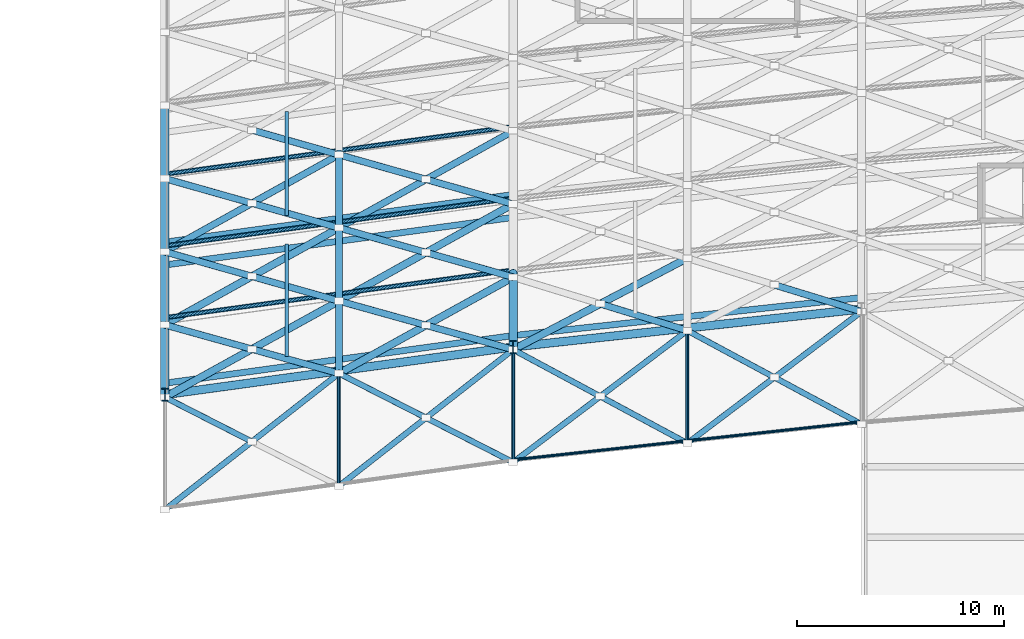
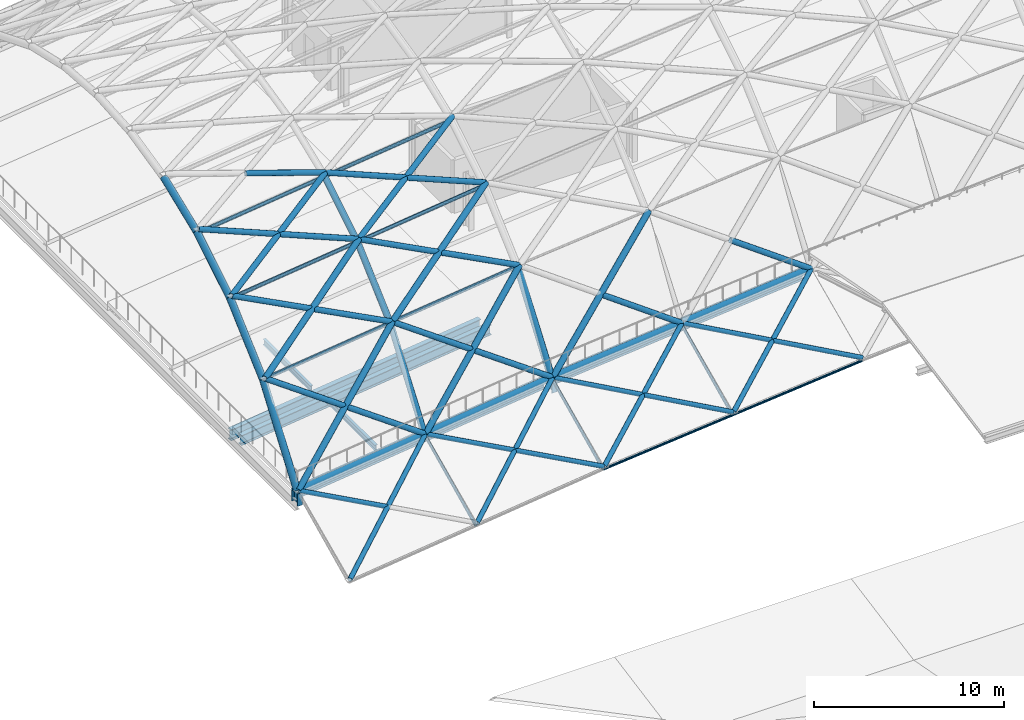
# One storey, part 11 of 100: 58 members, 6 beams.
"""IFC4 building model written with IfcOpenShell, lengths in metres."""

import ifcopenshell
import ifcopenshell.guid

model = None  # the IFC model being written
_history = None  # IfcOwnerHistory: only IFC2X3 demands one
_inside = {}  # id of a spatial element -> (the spatial element, [elements in it])
_under = {}  # id of a project, library or spatial element -> (it, [spatial elements below it])
_declared = {}  # id of a project -> (the project, [libraries it declares])
_typed = {}  # id of a type object -> (the type object, [elements of that type])
_made_of = {}  # id of a material, layer set ... -> (it, [elements and type objects made of it])


def new_model(schema):
    """Start an empty IFC model of exactly this schema.

    Asked for "IFC4X3", IfcOpenShell would pick the latest addendum, in which some entities
    have other attributes; the version numbers below select the first issue.
    IFC2X3 requires an IfcOwnerHistory on every rooted entity: one is made here for all.
    """
    global model, _history
    if schema == "IFC4X3":
        model = ifcopenshell.file(schema_version=(4, 3, 0, 0))
    else:
        model = ifcopenshell.file(schema=schema)
    _inside.clear()
    _under.clear()
    _declared.clear()
    _typed.clear()
    _made_of.clear()
    _history = None
    if model.schema == "IFC2X3":
        org = make("IfcOrganization", Name="unknown")
        user = make(
            "IfcPersonAndOrganization",
            ThePerson=make("IfcPerson", FamilyName="unknown"),
            TheOrganization=org,
        )
        app = make(
            "IfcApplication",
            ApplicationDeveloper=org,
            Version="unknown",
            ApplicationFullName="unknown",
            ApplicationIdentifier="unknown",
        )
        _history = make(
            "IfcOwnerHistory",
            OwningUser=user,
            OwningApplication=app,
            ChangeAction="ADDED",
            CreationDate=0,
        )
    return model


def make(cls, **values):
    """One entity of the class cls with the attributes given. An attribute that is None is left unset."""
    return model.create_entity(
        cls, **{name: value for name, value in values.items() if value is not None}
    )


def rooted(cls, **values):
    """An entity with a GlobalId (a new one), such as an element, a storey or a relation."""
    return make(cls, GlobalId=ifcopenshell.guid.new(), OwnerHistory=_history, **values)


def si_unit(unit_type, name, prefix=None):
    """IfcSIUnit, for example si_unit("LENGTHUNIT", "METRE", prefix="MILLI")."""
    return make("IfcSIUnit", UnitType=unit_type, Prefix=prefix, Name=name)


def assignment(units):
    """IfcUnitAssignment: the units of a project."""
    return None if units is None else make("IfcUnitAssignment", Units=units)


def point(xyz):
    """IfcCartesianPoint."""
    return None if xyz is None else make("IfcCartesianPoint", Coordinates=xyz)


def direction(xyz):
    """IfcDirection."""
    return None if xyz is None else make("IfcDirection", DirectionRatios=xyz)


def frame(location, z_axis=None, x_axis=None):
    """IfcAxis2Placement3D, a coordinate frame: its origin and axes. An axis left out is left unset."""
    return make(
        "IfcAxis2Placement3D",
        Location=point(location),
        Axis=direction(z_axis),
        RefDirection=direction(x_axis),
    )


def frame_2d(location, x_axis=None):
    """IfcAxis2Placement2D, a coordinate frame in the plane: its origin and x axis."""
    return make(
        "IfcAxis2Placement2D", Location=point(location), RefDirection=direction(x_axis)
    )


def origin():
    """The frame at (0, 0, 0) with its axes left unset."""
    return frame((0.0, 0.0, 0.0))


def origin_2d():
    """The frame at (0, 0) in the plane with its x axis left unset."""
    return frame_2d((0.0, 0.0))


def place(relative_to, where):
    """IfcLocalPlacement: puts the frame where relative to a parent placement (None: the world)."""
    return make(
        "IfcLocalPlacement", PlacementRelTo=relative_to, RelativePlacement=where
    )


def context(
    kind, dimensions, precision=None, world=None, true_north=None, identifier=None
):
    """IfcGeometricRepresentationContext, for example the 3D "Model" context."""
    return make(
        "IfcGeometricRepresentationContext",
        ContextIdentifier=identifier,
        ContextType=kind,
        CoordinateSpaceDimension=dimensions,
        Precision=precision,
        WorldCoordinateSystem=world,
        TrueNorth=true_north,
    )


def subcontext(parent, identifier, kind, view, scale=None):
    """IfcGeometricRepresentationSubContext, for example "Body" below "Model"."""
    return make(
        "IfcGeometricRepresentationSubContext",
        ContextIdentifier=identifier,
        ContextType=kind,
        ParentContext=parent,
        TargetScale=scale,
        TargetView=view,
    )


def project(units=None, contexts=None):
    """IfcProject with its units and contexts."""
    return rooted(
        "IfcProject",
        Name="project",
        RepresentationContexts=contexts,
        UnitsInContext=assignment(units),
    )


def spatial(cls, under=None, at=None, **own):
    """A site, building, storey or space (cls), placed at a placement, below another one or the project."""
    s = rooted(cls, ObjectPlacement=at, **own)
    if under is not None:
        _under.setdefault(under.id(), (under, []))[1].append(s)
    return s


def profile(cls, at=None, kind="AREA", **sizes):
    """A parametric profile (cls). Its sizes go by their IFC names, for example OverallWidth=200.0."""
    return make(cls, ProfileType=kind, Position=at, **sizes)


def hollow_circle(**sizes):
    """IfcCircleHollowProfileDef."""
    return profile("IfcCircleHollowProfileDef", **sizes)


def i_section(**sizes):
    """IfcIShapeProfileDef."""
    return profile("IfcIShapeProfileDef", **sizes)


def extrude(swept, where, along, depth):
    """IfcExtrudedAreaSolid: the profile swept, set in the frame where, extruded along a direction by depth."""
    return make(
        "IfcExtrudedAreaSolid",
        SweptArea=swept,
        Position=where,
        ExtrudedDirection=direction(along),
        Depth=depth,
    )


def shape(context_of_items, identifier, shape_type, items):
    """IfcShapeRepresentation: the items that make up one representation, for example the "Body"."""
    return make(
        "IfcShapeRepresentation",
        ContextOfItems=context_of_items,
        RepresentationIdentifier=identifier,
        RepresentationType=shape_type,
        Items=items,
    )


def material(Name=None, Category=None):
    """IfcMaterial."""
    return make("IfcMaterial", Name=Name, Category=Category)


def material_profile(
    of_material, cross_section, Name=None, Category=None, Priority=None
):
    """IfcMaterialProfile: a cross section and its material."""
    return make(
        "IfcMaterialProfile",
        Name=Name,
        Material=of_material,
        Profile=cross_section,
        Priority=Priority,
        Category=Category,
    )


def profile_set(profiles, Name=None, composite=None):
    """IfcMaterialProfileSet."""
    return make(
        "IfcMaterialProfileSet",
        Name=Name,
        MaterialProfiles=profiles,
        CompositeProfile=composite,
    )


def made_of(thing, what):
    """Note that an element or type object is made of a material, layer set ...; save() writes the relation."""
    if what is not None:
        _made_of.setdefault(what.id(), (what, []))[1].append(thing)
    return thing


def type_object(cls, material=None, **own):
    """A type object (cls), such as IfcWallType, which elements share."""
    return made_of(rooted(cls, **own), material)


def element(
    cls,
    number,
    at=None,
    inside=None,
    cuts=None,
    type_object=None,
    material=None,
    context=None,
    identifier="Body",
    shape_type=None,
    held_by="IfcProductDefinitionShape",
    body=None,
    shapes=None,
    **own,
):
    """One element of the class cls, such as IfcWall. Its Tag is "e" and its number.

    at: its placement. inside: the storey or other place that contains it. cuts: it is an
    opening in that element (IfcRelVoidsElement). A single representation is given by context,
    identifier, shape_type and body (its items); several are given by shapes. held_by: the class
    of the entity that holds the representations. save() writes the other relations.
    """
    e = rooted(cls, Tag="e%d" % number, ObjectPlacement=at, **own)
    if body is not None:
        shapes = [shape(context, identifier, shape_type, body)]
    if shapes is not None:
        e.Representation = make(held_by, Representations=shapes)
    if inside is not None:
        _inside.setdefault(inside.id(), (inside, []))[1].append(e)
    if cuts is not None:
        rooted(
            "IfcRelVoidsElement", RelatingBuildingElement=cuts, RelatedOpeningElement=e
        )
    if type_object is not None:
        _typed.setdefault(type_object.id(), (type_object, []))[1].append(e)
    return made_of(e, material)


def aggregate(whole, parts):
    """IfcRelAggregates: a whole, such as a stair, and the parts it consists of."""
    return rooted("IfcRelAggregates", RelatingObject=whole, RelatedObjects=parts)


def save(model, path):
    """Write the relations noted so far, then the file.

    IfcRelAggregates (storeys below a building ...), IfcRelContainedInSpatialStructure (elements
    in a storey), IfcRelDefinesByType, IfcRelAssociatesMaterial and IfcRelDeclares: one each for
    every whole, place, type object, material and project.
    """
    for whole, parts in _under.values():
        aggregate(whole, parts)
    for where, things in _inside.values():
        rooted(
            "IfcRelContainedInSpatialStructure",
            RelatedElements=things,
            RelatingStructure=where,
        )
    for kind, things in _typed.values():
        rooted("IfcRelDefinesByType", RelatedObjects=things, RelatingType=kind)
    for what, things in _made_of.values():
        rooted("IfcRelAssociatesMaterial", RelatedObjects=things, RelatingMaterial=what)
    for by, libraries in _declared.values():
        rooted("IfcRelDeclares", RelatingContext=by, RelatedDefinitions=libraries)
    model.write(path)


model = new_model("IFC4")

# Units and contexts
model_context = context("Model", 3, precision=1e-05, world=origin(), true_north=direction((0.0, 1.0)))
body_context = subcontext(model_context, "Body", "Model", "MODEL_VIEW")
ifc_project = project(units=[si_unit("LENGTHUNIT", "METRE"), si_unit("AREAUNIT", "SQUARE_METRE"), si_unit("VOLUMEUNIT", "CUBIC_METRE"), si_unit("PLANEANGLEUNIT", "RADIAN"), si_unit("MASSUNIT", "GRAM", prefix="KILO")], contexts=[model_context])

# Site, building, storey
site_placement = place(None, origin())
site = spatial("IfcSite", under=ifc_project, at=site_placement, CompositionType="ELEMENT")
building_placement = place(site_placement, origin())
building = spatial("IfcBuilding", under=site, at=building_placement, Name="Kimbaza Rail Terminus", CompositionType="ELEMENT")
storey_placement = place(building_placement, frame((0.0, 0.0, 10.800048828125)))
storey = spatial("IfcBuildingStorey", under=building, at=storey_placement, Name="L02", CompositionType="ELEMENT", Elevation=10.800048828125)

# Beams
ifc_material_1 = material(Name="Steel S355", Category="steel")
ifc_material_profile_1 = material_profile(ifc_material_1, i_section(OverallWidth=0.300048828125, OverallDepth=0.64990234375, WebThickness=0.01611328125, FlangeThickness=0.031005859375, FilletRadius=0.027099609375, at=origin_2d()), Name="HEB 650")
ifc_profile_set_1 = profile_set([ifc_material_profile_1], Name="Steel S355")
beam_type_1 = type_object("IfcBeamType", Name="STR-BM-HEB650", PredefinedType="USERDEFINED", material=ifc_profile_set_1)
for number, where, z_axis, x_axis, name in (
    (1, (21.74365234375, 48.445556640625, -0.5849609375), (0.990777321611, 0.135500180745, 0.0), (-0.135500180745, 0.990777321611, 0.0), "Viaduct Chorded Girder P1 Bay 01"),
    (2, (21.74365234375, 54.145751953125, -0.5849609375), (0.990777321611, 0.135500180745, 0.0), (-0.135500180745, 0.990777321611, 0.0), "Viaduct Chorded Girder P1 Bay 01"),
):
    element("IfcBeam", number, at=place(storey_placement, frame(where, z_axis=z_axis, x_axis=x_axis)), inside=storey, type_object=beam_type_1, Name=name, ObjectType="GIRDER", PredefinedType="USERDEFINED", context=body_context, shape_type="SweptSolid", body=[
        extrude(i_section(OverallWidth=0.300048828125, OverallDepth=0.64990234375, WebThickness=0.01611328125, FlangeThickness=0.031005859375, FilletRadius=0.027099609375, at=origin_2d()), origin(), (0.0, 0.0, 1.0), 16.66650390625),
    ])
beam_1_placement = place(storey_placement, frame((38.544189453125, 50.7392578125, -0.5849609375), z_axis=(0.994106987183, 0.108403404165, 0.0), x_axis=(-0.108403404165, 0.994106987183, 0.0)))
element("IfcBeam", 3, at=beam_1_placement, inside=storey, type_object=beam_type_1, Name="Viaduct Chorded Girder P1 Bay 02", ObjectType="GIRDER", PredefinedType="USERDEFINED", context=body_context, shape_type="SweptSolid", body=[
    extrude(i_section(OverallWidth=0.300048828125, OverallDepth=0.64990234375, WebThickness=0.01611328125, FlangeThickness=0.031005859375, FilletRadius=0.027099609375, at=origin_2d()), origin(), (0.0, 0.0, 1.0), 16.609619140625),
])
ifc_material_2 = material(Name="Steel S355", Category="steel")
ifc_material_profile_2 = material_profile(ifc_material_2, i_section(OverallWidth=0.300048828125, OverallDepth=0.699951171875, WebThickness=0.01708984375, FlangeThickness=0.031982421875, FilletRadius=0.027099609375, at=origin_2d()), Name="HEB 700")
ifc_profile_set_2 = profile_set([ifc_material_profile_2], Name="Steel S355")
beam_type_2 = type_object("IfcBeamType", Name="STR-BM-HEB700", PredefinedType="USERDEFINED", material=ifc_profile_set_2)
beam_2_placement = place(storey_placement, frame((21.74365234375, 55.24560546875, -0.920166015625), z_axis=(0.990777321611, 0.135500180745, 0.0), x_axis=(-0.135500180745, 0.990777321611, 0.0)))
element("IfcBeam", 4, at=beam_2_placement, inside=storey, type_object=beam_type_2, Name="Viaduct Chorded Girder TR12 Bay 01", ObjectType="GIRDER", PredefinedType="USERDEFINED", context=body_context, shape_type="SweptSolid", body=[
    extrude(i_section(OverallWidth=0.300048828125, OverallDepth=0.699951171875, WebThickness=0.01708984375, FlangeThickness=0.031982421875, FilletRadius=0.027099609375, at=origin_2d()), origin(), (0.0, 0.0, 1.0), 16.66650390625),
])
ifc_material_3 = material(Name="Steel S355", Category="steel")
ifc_material_profile_3 = material_profile(ifc_material_3, i_section(OverallWidth=0.169921875, OverallDepth=0.360107421875, WebThickness=0.008056640625, FlangeThickness=0.0126953125, FilletRadius=0.01806640625, at=origin_2d()), Name="IPE 360")
ifc_profile_set_3 = profile_set([ifc_material_profile_3], Name="Steel S355")
beam_type_3 = type_object("IfcBeamType", Name="STR-BM-IPE360", PredefinedType="JOIST", material=ifc_profile_set_3)
beam_3_placement = place(storey_placement, frame((27.47998046875, 49.7197265625, -0.43994140625), z_axis=(0.0, 1.0, 0.0), x_axis=(-1.0, 0.0, 0.0)))
element("IfcBeam", 5, at=beam_3_placement, inside=storey, type_object=beam_type_3, Name="Viaduct Diaphragm P1 Bay 01", PredefinedType="JOIST", context=body_context, shape_type="SweptSolid", body=[
    extrude(i_section(OverallWidth=0.169921875, OverallDepth=0.360107421875, WebThickness=0.008056640625, FlangeThickness=0.0126953125, FilletRadius=0.01806640625, at=origin_2d()), origin(), (0.0, 0.0, 1.0), 5.41015625),
])
beam_4_placement = place(storey_placement, frame((27.47998046875, 56.519775390625, -0.75), z_axis=(0.0, 1.0, 0.0), x_axis=(-1.0, 0.0, 0.0)))
element("IfcBeam", 6, at=beam_4_placement, inside=storey, type_object=beam_type_3, Name="Viaduct Diaphragm TR12 Bay 01", PredefinedType="JOIST", context=body_context, shape_type="SweptSolid", body=[
    extrude(i_section(OverallWidth=0.169921875, OverallDepth=0.360107421875, WebThickness=0.008056640625, FlangeThickness=0.0126953125, FilletRadius=0.01806640625, at=origin_2d()), origin(), (0.0, 0.0, 1.0), 5.010009765625),
])

# Members
ifc_material_4 = material(Name="White painted steel S355", Category="steel")
ifc_material_profile_4 = material_profile(ifc_material_4, hollow_circle(Radius=0.06982421875, WallThickness=0.00634765625, at=origin_2d()), Name="CHS 139.7x6.3")
ifc_profile_set_4 = profile_set([ifc_material_profile_4], Name="White painted steel S355")
member_type_1 = type_object("IfcMemberType", Name="STR-MB-CHS139", PredefinedType="COLLAR", material=ifc_profile_set_4)
member_1_placement = place(storey_placement, frame((38.39990234375, 44.7314453125, -2.62744140625), z_axis=(0.994106819652, 0.108404940487, 0.0), x_axis=(-0.108404940487, 0.994106819652, 0.0)))
element("IfcMember", 7, at=member_1_placement, inside=storey, type_object=member_type_1, Name="Vault lattice longitudinal purlin VR-02-VA00", PredefinedType="COLLAR", context=body_context, shape_type="SweptSolid", body=[
    extrude(hollow_circle(Radius=0.06982421875, WallThickness=0.00634765625, at=origin_2d()), origin(), (0.0, 0.0, 1.0), 8.449951171875),
])
member_2_placement = place(storey_placement, frame((46.800048828125, 45.6474609375, -2.62744140625), z_axis=(0.99410959352, 0.108379500241, 0.0), x_axis=(-0.108379500241, 0.99410959352, 0.0)))
element("IfcMember", 8, at=member_2_placement, inside=storey, type_object=member_type_1, Name="Vault lattice longitudinal purlin VR-03-VA00", PredefinedType="COLLAR", context=body_context, shape_type="SweptSolid", body=[
    extrude(hollow_circle(Radius=0.06982421875, WallThickness=0.00634765625, at=origin_2d()), origin(), (0.0, 0.0, 1.0), 8.44970703125),
])
ifc_material_5 = material(Name="White painted steel S355", Category="steel")
ifc_material_profile_5 = material_profile(ifc_material_5, hollow_circle(Radius=0.084228515625, WallThickness=0.00634765625, at=origin_2d()), Name="CHS 168.3x6.3")
ifc_profile_set_5 = profile_set([ifc_material_profile_5], Name="White painted steel S355")
member_type_2 = type_object("IfcMemberType", Name="STR-MB-CHS168", PredefinedType="RAFTER", material=ifc_profile_set_5)
for number, where, z_axis, x_axis, name in (
    (9, (30.0, 43.574462890625, -2.609375), (0.0, 0.901963905621, 0.431811432174), (-1.0, 0.0, 0.0), "Vault lattice arch chord VR-01 seg 1"),
    (10, (38.39990234375, 44.72314453125, -2.609375), (0.0, 0.901963905621, 0.431811432174), (-1.0, 0.0, 0.0), "Vault lattice arch chord VR-02 seg 1"),
    (11, (46.800048828125, 45.63916015625, -2.609375), (0.0, 0.901963905621, 0.431811432174), (-1.0, 0.0, 0.0), "Vault lattice arch chord VR-03 seg 1"),
):
    element("IfcMember", number, at=place(storey_placement, frame(where, z_axis=z_axis, x_axis=x_axis)), inside=storey, type_object=member_type_2, Name=name, PredefinedType="RAFTER", context=body_context, shape_type="SweptSolid", body=[
        extrude(hollow_circle(Radius=0.084228515625, WallThickness=0.00634765625, at=origin_2d()), origin(), (0.0, 0.0, 1.0), 6.04296875),
    ])
ifc_material_6 = material(Name="White painted steel S355", Category="steel")
ifc_material_profile_6 = material_profile(ifc_material_6, hollow_circle(Radius=0.109619140625, WallThickness=0.008056640625, at=origin_2d()), Name="CHS 219.1x8")
ifc_profile_set_6 = profile_set([ifc_material_profile_6], Name="White painted steel S355")
member_type_3 = type_object("IfcMemberType", Name="STR-MB-CHS219", PredefinedType="PURLIN", material=ifc_profile_set_6)
for number, where, z_axis, x_axis, name in (
    (12, (21.60009765625, 51.5908203125, 4.85205078125), (0.990778928837, 0.135488428186, 0.0), (-0.135488428186, 0.990778928837, 0.0), "Vault lattice longitudinal purlin VR-00-VA02"),
    (13, (21.60009765625, 55.0478515625, 7.9716796875), (0.990778928837, 0.135488428186, 0.0), (-0.135488428186, 0.990778928837, 0.0), "Vault lattice longitudinal purlin VR-00-VA03"),
    (14, (21.60009765625, 58.5048828125, 10.078857421875), (0.990775062808, 0.135516696087, 0.0), (-0.135516696087, 0.990775062808, 0.0), "Vault lattice longitudinal purlin VR-00-VA04"),
    (15, (30.0, 52.739501953125, 4.85205078125), (0.990775062808, 0.135516696087, 0.0), (-0.135516696087, 0.990775062808, 0.0), "Vault lattice longitudinal purlin VR-01-VA02"),
    (16, (30.0, 56.196533203125, 7.9716796875), (0.990775062808, 0.135516696087, 0.0), (-0.135516696087, 0.990775062808, 0.0), "Vault lattice longitudinal purlin VR-01-VA03"),
    (17, (30.0, 59.65380859375, 10.078857421875), (0.990778928837, 0.135488428186, 0.0), (-0.135488428186, 0.990778928837, 0.0), "Vault lattice longitudinal purlin VR-01-VA04"),
):
    element("IfcMember", number, at=place(storey_placement, frame(where, z_axis=z_axis, x_axis=x_axis)), inside=storey, type_object=member_type_3, Name=name, PredefinedType="PURLIN", context=body_context, shape_type="SweptSolid", body=[
        extrude(hollow_circle(Radius=0.109619140625, WallThickness=0.008056640625, at=origin_2d()), origin(), (0.0, 0.0, 1.0), 8.47802734375),
    ])
ifc_material_7 = material(Name="White painted steel S355", Category="steel")
ifc_material_profile_7 = material_profile(ifc_material_7, hollow_circle(Radius=0.136474609375, WallThickness=0.010009765625, at=origin_2d()), Name="CHS 273x10")
ifc_profile_set_7 = profile_set([ifc_material_profile_7], Name="White painted steel S355")
member_type_4 = type_object("IfcMemberType", Name="STR-MB-CHS273", PredefinedType="STRUT", material=ifc_profile_set_7)
member_3_placement = place(storey_placement, frame((21.60009765625, 42.318115234375, -2.37255859375), z_axis=(0.767370266264, 0.601321564516, 0.222610086252), x_axis=(-0.616798545338, 0.78712105452, 0.0)))
element("IfcMember", 18, at=member_3_placement, inside=storey, type_object=member_type_4, Name="Vault lattice diagonal A VR-00-VA00", PredefinedType="STRUT", context=body_context, shape_type="SweptSolid", body=[
    extrude(hollow_circle(Radius=0.136474609375, WallThickness=0.010009765625, at=origin_2d()), origin(), (0.0, 0.0, 1.0), 10.9462890625),
])
member_4_placement = place(storey_placement, frame((25.800048828125, 45.609375, -1.154296875), z_axis=(-0.862466770419, 0.439931750882, 0.250222150274), x_axis=(-0.454386489216, -0.890804646608, 0.0)))
element("IfcMember", 19, at=member_4_placement, inside=storey, type_object=member_type_4, Name="Vault lattice diagonal B2 VR-00-VA00", PredefinedType="STRUT", context=body_context, shape_type="SweptSolid", body=[
    extrude(hollow_circle(Radius=0.136474609375, WallThickness=0.010009765625, at=origin_2d()), origin(), (0.0, 0.0, 1.0), 4.86962890625),
])
member_5_placement = place(storey_placement, frame((30.0, 43.467041015625, -2.37255859375), z_axis=(0.767380557872, 0.601307325473, 0.222613071793), x_axis=(-0.616784371104, 0.787132161432, 0.0)))
element("IfcMember", 20, at=member_5_placement, inside=storey, type_object=member_type_4, Name="Vault lattice diagonal A VR-01-VA00", PredefinedType="STRUT", context=body_context, shape_type="SweptSolid", body=[
    extrude(hollow_circle(Radius=0.136474609375, WallThickness=0.010009765625, at=origin_2d()), origin(), (0.0, 0.0, 1.0), 10.9462890625),
])
for number, where, z_axis, x_axis, name in (
    (21, (38.39990234375, 44.61572265625, -2.37255859375), (-0.862477589017, 0.439937269292, 0.250175153705), (-0.454386489216, -0.890804646608, 0.0), "Vault lattice diagonal B1 VR-01-VA00"),
    (22, (34.199951171875, 46.758056640625, -1.154296875), (-0.862466770419, 0.439931750882, 0.250222150274), (-0.454386489216, -0.890804646608, 0.0), "Vault lattice diagonal B2 VR-01-VA00"),
):
    element("IfcMember", number, at=place(storey_placement, frame(where, z_axis=z_axis, x_axis=x_axis)), inside=storey, type_object=member_type_4, Name=name, PredefinedType="STRUT", context=body_context, shape_type="SweptSolid", body=[
        extrude(hollow_circle(Radius=0.136474609375, WallThickness=0.010009765625, at=origin_2d()), origin(), (0.0, 0.0, 1.0), 4.86962890625),
    ])
member_6_placement = place(storey_placement, frame((38.39990234375, 44.61572265625, -2.37255859375), z_axis=(0.777209398029, 0.58746431873, 0.225457813867), x_axis=(-0.60298953162, 0.797749098875, 0.0)))
element("IfcMember", 23, at=member_6_placement, inside=storey, type_object=member_type_4, Name="Vault lattice diagonal A VR-02-VA00", PredefinedType="STRUT", context=body_context, shape_type="SweptSolid", body=[
    extrude(hollow_circle(Radius=0.136474609375, WallThickness=0.010009765625, at=origin_2d()), origin(), (0.0, 0.0, 1.0), 10.80810546875),
])
member_7_placement = place(storey_placement, frame((46.800048828125, 45.53173828125, -2.37255859375), z_axis=(-0.85330534323, 0.45891885343, 0.247514599937), x_axis=(-0.473657089864, -0.88070935116, 0.0)))
element("IfcMember", 24, at=member_7_placement, inside=storey, type_object=member_type_4, Name="Vault lattice diagonal B1 VR-02-VA00", PredefinedType="STRUT", context=body_context, shape_type="SweptSolid", body=[
    extrude(hollow_circle(Radius=0.136474609375, WallThickness=0.010009765625, at=origin_2d()), origin(), (0.0, 0.0, 1.0), 4.921875),
])
member_8_placement = place(storey_placement, frame((42.60009765625, 47.79052734375, -1.154296875), z_axis=(-0.853327772973, 0.458854640071, 0.247556319165), x_axis=(-0.473596024317, -0.880742190287, 0.0)))
element("IfcMember", 25, at=member_8_placement, inside=storey, type_object=member_type_4, Name="Vault lattice diagonal B2 VR-02-VA00", PredefinedType="STRUT", context=body_context, shape_type="SweptSolid", body=[
    extrude(hollow_circle(Radius=0.136474609375, WallThickness=0.010009765625, at=origin_2d()), origin(), (0.0, 0.0, 1.0), 4.922119140625),
])
member_9_placement = place(storey_placement, frame((46.800048828125, 45.53173828125, -2.37255859375), z_axis=(0.777200453899, 0.587474632464, 0.225461772085), x_axis=(-0.603000684868, 0.797740668419, 0.0)))
element("IfcMember", 26, at=member_9_placement, inside=storey, type_object=member_type_4, Name="Vault lattice diagonal A VR-03-VA00", PredefinedType="STRUT", context=body_context, shape_type="SweptSolid", body=[
    extrude(hollow_circle(Radius=0.136474609375, WallThickness=0.010009765625, at=origin_2d()), origin(), (0.0, 0.0, 1.0), 10.807861328125),
])
member_10_placement = place(storey_placement, frame((55.199951171875, 46.447509765625, -2.37255859375), z_axis=(-0.85330534323, 0.45891885343, 0.247514599937), x_axis=(-0.473657089864, -0.88070935116, 0.0)))
element("IfcMember", 27, at=member_10_placement, inside=storey, type_object=member_type_4, Name="Vault lattice diagonal B1 VR-03-VA00", PredefinedType="STRUT", context=body_context, shape_type="SweptSolid", body=[
    extrude(hollow_circle(Radius=0.136474609375, WallThickness=0.010009765625, at=origin_2d()), origin(), (0.0, 0.0, 1.0), 4.921875),
])
member_11_placement = place(storey_placement, frame((51.0, 48.706298828125, -1.154296875), z_axis=(-0.85329486613, 0.458913218708, 0.247561162405), x_axis=(-0.473657089864, -0.88070935116, 0.0)))
element("IfcMember", 28, at=member_11_placement, inside=storey, type_object=member_type_4, Name="Vault lattice diagonal B2 VR-03-VA00", PredefinedType="STRUT", context=body_context, shape_type="SweptSolid", body=[
    extrude(hollow_circle(Radius=0.136474609375, WallThickness=0.010009765625, at=origin_2d()), origin(), (0.0, 0.0, 1.0), 4.922119140625),
])
ifc_material_8 = material(Name="White painted steel S355", Category="steel")
ifc_material_profile_8 = material_profile(ifc_material_8, hollow_circle(Radius=0.161865234375, WallThickness=0.010009765625, at=origin_2d()), Name="CHS 323.9x10")
ifc_profile_set_8 = profile_set([ifc_material_profile_8], Name="White painted steel S355")
member_type_5 = type_object("IfcMemberType", Name="STR-MB-CHS323", PredefinedType="STRUT", material=ifc_profile_set_8)
for number, where, z_axis, x_axis, name in (
    (29, (30.0, 48.900390625, 0.064208984375), (-0.831345415058, 0.231817936176, 0.50509924305), (-0.268599628329, -0.963251908724, 0.0), "Vault lattice diagonal B1 VR-00-VA01"),
    (30, (25.800048828125, 50.071533203125, 2.615966796875), (-0.831345415058, 0.231817936176, 0.50509924305), (-0.268599628329, -0.963251908724, 0.0), "Vault lattice diagonal B2 VR-00-VA01"),
):
    element("IfcMember", number, at=place(storey_placement, frame(where, z_axis=z_axis, x_axis=x_axis)), inside=storey, type_object=member_type_5, Name=name, PredefinedType="STRUT", context=body_context, shape_type="SweptSolid", body=[
        extrude(hollow_circle(Radius=0.161865234375, WallThickness=0.010009765625, at=origin_2d()), origin(), (0.0, 0.0, 1.0), 5.052001953125),
    ])
for number, where, z_axis, x_axis, name in (
    (31, (30.0, 52.3916015625, 5.167724609375), (-0.904001440126, 0.255861362086, 0.342514758283), (-0.272334190538, -0.962202727425, 0.0), "Vault lattice diagonal B1 VR-00-VA02"),
    (32, (25.800048828125, 53.580322265625, 6.759033203125), (-0.903989284576, 0.255910470028, 0.342510152698), (-0.272385973351, -0.962188069725, 0.0), "Vault lattice diagonal B2 VR-00-VA02"),
):
    element("IfcMember", number, at=place(storey_placement, frame(where, z_axis=z_axis, x_axis=x_axis)), inside=storey, type_object=member_type_5, Name=name, PredefinedType="STRUT", context=body_context, shape_type="SweptSolid", body=[
        extrude(hollow_circle(Radius=0.161865234375, WallThickness=0.010009765625, at=origin_2d()), origin(), (0.0, 0.0, 1.0), 4.64599609375),
    ])
member_12_placement = place(storey_placement, frame((21.60009765625, 54.769287109375, 8.350341796875), z_axis=(0.852709514582, 0.474633491651, 0.218196086914), x_axis=(-0.486352172507, 0.87376287647, 0.0)))
element("IfcMember", 33, at=member_12_placement, inside=storey, type_object=member_type_5, Name="Vault lattice diagonal A VR-00-VA03", PredefinedType="STRUT", context=body_context, shape_type="SweptSolid", body=[
    extrude(hollow_circle(Radius=0.161865234375, WallThickness=0.010009765625, at=origin_2d()), origin(), (0.0, 0.0, 1.0), 9.850830078125),
])
for number, where, z_axis, x_axis, name in (
    (34, (30.0, 55.918212890625, 8.350341796875), (-0.934286738554, 0.264487381082, 0.239070523927), (-0.272385973351, -0.962188069725, 0.0), "Vault lattice diagonal B1 VR-00-VA03"),
    (35, (25.800048828125, 57.107177734375, 9.425048828125), (-0.934286738554, 0.264487381082, 0.239070523927), (-0.272385973351, -0.962188069725, 0.0), "Vault lattice diagonal B2 VR-00-VA03"),
):
    element("IfcMember", number, at=place(storey_placement, frame(where, z_axis=z_axis, x_axis=x_axis)), inside=storey, type_object=member_type_5, Name=name, PredefinedType="STRUT", context=body_context, shape_type="SweptSolid", body=[
        extrude(hollow_circle(Radius=0.161865234375, WallThickness=0.010009765625, at=origin_2d()), origin(), (0.0, 0.0, 1.0), 4.495361328125),
    ])
member_13_placement = place(storey_placement, frame((30.0, 59.44482421875, 10.499755859375), z_axis=(-0.949850723392, 0.26889339202, 0.159624393497), x_axis=(-0.272385973351, -0.962188069725, 0.0)))
element("IfcMember", 36, at=member_13_placement, inside=storey, type_object=member_type_5, Name="Vault lattice diagonal B1 VR-00-VA04", PredefinedType="STRUT", context=body_context, shape_type="SweptSolid", body=[
    extrude(hollow_circle(Radius=0.161865234375, WallThickness=0.010009765625, at=origin_2d()), origin(), (0.0, 0.0, 1.0), 4.421630859375),
])
for number, where, z_axis, x_axis, name in (
    (37, (38.39990234375, 50.049072265625, 0.064208984375), (-0.831345415058, 0.231817936176, 0.50509924305), (-0.268599628329, -0.963251908724, 0.0), "Vault lattice diagonal B1 VR-01-VA01"),
    (38, (34.199951171875, 51.22021484375, 2.615966796875), (-0.831336100895, 0.231863664018, 0.505093584058), (-0.268651580733, -0.963237420457, 0.0), "Vault lattice diagonal B2 VR-01-VA01"),
):
    element("IfcMember", number, at=place(storey_placement, frame(where, z_axis=z_axis, x_axis=x_axis)), inside=storey, type_object=member_type_5, Name=name, PredefinedType="STRUT", context=body_context, shape_type="SweptSolid", body=[
        extrude(hollow_circle(Radius=0.161865234375, WallThickness=0.010009765625, at=origin_2d()), origin(), (0.0, 0.0, 1.0), 5.052001953125),
    ])
for number, where, z_axis, x_axis, name in (
    (39, (38.39990234375, 53.540283203125, 5.167724609375), (-0.903989284576, 0.255910470028, 0.342510152698), (-0.272385973351, -0.962188069725, 0.0), "Vault lattice diagonal B1 VR-01-VA02"),
    (40, (34.199951171875, 54.729248046875, 6.759033203125), (-0.903989284576, 0.255910470028, 0.342510152698), (-0.272385973351, -0.962188069725, 0.0), "Vault lattice diagonal B2 VR-01-VA02"),
):
    element("IfcMember", number, at=place(storey_placement, frame(where, z_axis=z_axis, x_axis=x_axis)), inside=storey, type_object=member_type_5, Name=name, PredefinedType="STRUT", context=body_context, shape_type="SweptSolid", body=[
        extrude(hollow_circle(Radius=0.161865234375, WallThickness=0.010009765625, at=origin_2d()), origin(), (0.0, 0.0, 1.0), 4.64599609375),
    ])
member_14_placement = place(storey_placement, frame((30.0, 55.918212890625, 8.350341796875), z_axis=(0.852719545085, 0.474614290774, 0.218198653576), x_axis=(-0.486332783542, 0.873773668436, 0.0)))
element("IfcMember", 41, at=member_14_placement, inside=storey, type_object=member_type_5, Name="Vault lattice diagonal A VR-01-VA03", PredefinedType="STRUT", context=body_context, shape_type="SweptSolid", body=[
    extrude(hollow_circle(Radius=0.161865234375, WallThickness=0.010009765625, at=origin_2d()), origin(), (0.0, 0.0, 1.0), 9.850830078125),
])
for number, where, z_axis, x_axis, name in (
    (42, (38.39990234375, 57.06689453125, 8.350341796875), (-0.934286738554, 0.264487381082, 0.239070523927), (-0.272385973351, -0.962188069725, 0.0), "Vault lattice diagonal B1 VR-01-VA03"),
    (43, (34.199951171875, 58.255859375, 9.425048828125), (-0.934286738554, 0.264487381082, 0.239070523927), (-0.272385973351, -0.962188069725, 0.0), "Vault lattice diagonal B2 VR-01-VA03"),
):
    element("IfcMember", number, at=place(storey_placement, frame(where, z_axis=z_axis, x_axis=x_axis)), inside=storey, type_object=member_type_5, Name=name, PredefinedType="STRUT", context=body_context, shape_type="SweptSolid", body=[
        extrude(hollow_circle(Radius=0.161865234375, WallThickness=0.010009765625, at=origin_2d()), origin(), (0.0, 0.0, 1.0), 4.495361328125),
    ])
for number, where, z_axis, x_axis, name in (
    (44, (46.800048828125, 50.965087890625, 0.064208984375), (-0.826720949123, 0.253451507625, 0.502289563462), (-0.293109355165, -0.95607892243, 0.0), "Vault lattice diagonal B1 VR-02-VA01"),
    (45, (55.199951171875, 51.881103515625, 0.064208984375), (-0.826720949123, 0.253451507625, 0.502289563462), (-0.293109355165, -0.95607892243, 0.0), "Vault lattice diagonal B1 VR-03-VA01"),
):
    element("IfcMember", number, at=place(storey_placement, frame(where, z_axis=z_axis, x_axis=x_axis)), inside=storey, type_object=member_type_5, Name=name, PredefinedType="STRUT", context=body_context, shape_type="SweptSolid", body=[
        extrude(hollow_circle(Radius=0.161865234375, WallThickness=0.010009765625, at=origin_2d()), origin(), (0.0, 0.0, 1.0), 5.080322265625),
    ])
ifc_material_9 = material(Name="White painted steel S355", Category="steel")
ifc_material_profile_9 = material_profile(ifc_material_9, hollow_circle(Radius=0.177734375, WallThickness=0.012451171875, at=origin_2d()), Name="CHS 355.6x12.5")
ifc_profile_set_9 = profile_set([ifc_material_profile_9], Name="White painted steel S355")
member_type_6 = type_object("IfcMemberType", Name="STR-MB-CHS355", PredefinedType="CHORD", material=ifc_profile_set_9)
member_15_placement = place(storey_placement, frame((30.0, 49.02490234375, 0.0), z_axis=(0.0, 0.585733481953, 0.810503724926), x_axis=(-1.0, 0.0, 0.0)))
element("IfcMember", 46, at=member_15_placement, inside=storey, type_object=member_type_6, Name="Vault lattice arch chord VR-01 seg 2", PredefinedType="CHORD", context=body_context, shape_type="SweptSolid", body=[
    extrude(hollow_circle(Radius=0.177734375, WallThickness=0.012451171875, at=origin_2d()), origin(), (0.0, 0.0, 1.0), 6.127197265625),
])
member_16_placement = place(storey_placement, frame((30.0, 52.61376953125, 4.966064453125), z_axis=(0.0, 0.742379857618, 0.669979213859), x_axis=(-1.0, 0.0, 0.0)))
element("IfcMember", 47, at=member_16_placement, inside=storey, type_object=member_type_6, Name="Vault lattice arch chord VR-01 seg 3", PredefinedType="CHORD", context=body_context, shape_type="SweptSolid", body=[
    extrude(hollow_circle(Radius=0.177734375, WallThickness=0.012451171875, at=origin_2d()), origin(), (0.0, 0.0, 1.0), 4.690673828125),
])
member_17_placement = place(storey_placement, frame((30.0, 56.095947265625, 8.108642578125), z_axis=(0.0, 0.853901304322, 0.520434974302), x_axis=(-1.0, 0.0, 0.0)))
element("IfcMember", 48, at=member_17_placement, inside=storey, type_object=member_type_6, Name="Vault lattice arch chord VR-01 seg 4", PredefinedType="CHORD", context=body_context, shape_type="SweptSolid", body=[
    extrude(hollow_circle(Radius=0.177734375, WallThickness=0.012451171875, at=origin_2d()), origin(), (0.0, 0.0, 1.0), 4.077880859375),
])
member_18_placement = place(storey_placement, frame((21.60009765625, 47.751708984375, 0.064208984375), z_axis=(0.772838813652, 0.426896519603, 0.469552478073), x_axis=(-0.483513775644, 0.875336751635, 0.0)))
element("IfcMember", 49, at=member_18_placement, inside=storey, type_object=member_type_6, Name="Vault lattice diagonal A VR-00-VA01", PredefinedType="CHORD", context=body_context, shape_type="SweptSolid", body=[
    extrude(hollow_circle(Radius=0.177734375, WallThickness=0.012451171875, at=origin_2d()), origin(), (0.0, 0.0, 1.0), 10.868896484375),
])
member_19_placement = place(storey_placement, frame((21.60009765625, 51.24267578125, 5.167724609375), z_axis=(0.829488778461, 0.461708411216, 0.314282849387), x_axis=(-0.486352172507, 0.87376287647, 0.0)))
element("IfcMember", 50, at=member_19_placement, inside=storey, type_object=member_type_6, Name="Vault lattice diagonal A VR-00-VA02", PredefinedType="CHORD", context=body_context, shape_type="SweptSolid", body=[
    extrude(hollow_circle(Radius=0.177734375, WallThickness=0.012451171875, at=origin_2d()), origin(), (0.0, 0.0, 1.0), 10.126708984375),
])
member_20_placement = place(storey_placement, frame((30.0, 48.900390625, 0.064208984375), z_axis=(0.772838813652, 0.426896519603, 0.469552478073), x_axis=(-0.483513775644, 0.875336751635, 0.0)))
element("IfcMember", 51, at=member_20_placement, inside=storey, type_object=member_type_6, Name="Vault lattice diagonal A VR-01-VA01", PredefinedType="CHORD", context=body_context, shape_type="SweptSolid", body=[
    extrude(hollow_circle(Radius=0.177734375, WallThickness=0.012451171875, at=origin_2d()), origin(), (0.0, 0.0, 1.0), 10.868896484375),
])
member_21_placement = place(storey_placement, frame((30.0, 52.3916015625, 5.167724609375), z_axis=(0.829498011625, 0.461689441453, 0.314286347717), x_axis=(-0.486332783542, 0.873773668436, 0.0)))
element("IfcMember", 52, at=member_21_placement, inside=storey, type_object=member_type_6, Name="Vault lattice diagonal A VR-01-VA02", PredefinedType="CHORD", context=body_context, shape_type="SweptSolid", body=[
    extrude(hollow_circle(Radius=0.177734375, WallThickness=0.012451171875, at=origin_2d()), origin(), (0.0, 0.0, 1.0), 10.12646484375),
])
member_22_placement = place(storey_placement, frame((38.39990234375, 50.049072265625, 0.064208984375), z_axis=(0.77982653791, 0.409144321282, 0.473784228456), x_axis=(-0.46459833087, 0.885521536132, 0.0)))
element("IfcMember", 53, at=member_22_placement, inside=storey, type_object=member_type_6, Name="Vault lattice diagonal A VR-02-VA01", PredefinedType="CHORD", context=body_context, shape_type="SweptSolid", body=[
    extrude(hollow_circle(Radius=0.177734375, WallThickness=0.012451171875, at=origin_2d()), origin(), (0.0, 0.0, 1.0), 10.771728515625),
])
ifc_material_10 = material(Name="White painted steel S355", Category="steel")
ifc_material_profile_10 = material_profile(ifc_material_10, hollow_circle(Radius=0.203125, WallThickness=0.01416015625, at=origin_2d()), Name="CHS 406.4x14.2")
ifc_profile_set_10 = profile_set([ifc_material_profile_10], Name="White painted steel S355")
member_type_7 = type_object("IfcMemberType", Name="STR-MB-CHS406", PredefinedType="CHORD", material=ifc_profile_set_10)
member_23_placement = place(storey_placement, frame((21.60009765625, 47.8759765625, 0.0), z_axis=(0.0, 0.585733481953, 0.810503724926), x_axis=(-1.0, 0.0, 0.0)))
element("IfcMember", 54, at=member_23_placement, inside=storey, type_object=member_type_7, Name="Vault lattice arch chord VR-00 seg 2", PredefinedType="CHORD", context=body_context, shape_type="SweptSolid", body=[
    extrude(hollow_circle(Radius=0.203125, WallThickness=0.01416015625, at=origin_2d()), origin(), (0.0, 0.0, 1.0), 6.127197265625),
])
member_24_placement = place(storey_placement, frame((21.60009765625, 51.46484375, 4.966064453125), z_axis=(0.0, 0.742403219767, 0.669953326195), x_axis=(-1.0, 0.0, 0.0)))
element("IfcMember", 55, at=member_24_placement, inside=storey, type_object=member_type_7, Name="Vault lattice arch chord VR-00 seg 3", PredefinedType="CHORD", context=body_context, shape_type="SweptSolid", body=[
    extrude(hollow_circle(Radius=0.203125, WallThickness=0.01416015625, at=origin_2d()), origin(), (0.0, 0.0, 1.0), 4.690673828125),
])
member_25_placement = place(storey_placement, frame((21.60009765625, 54.947265625, 8.108642578125), z_axis=(0.0, 0.853901304322, 0.520434974302), x_axis=(-1.0, 0.0, 0.0)))
element("IfcMember", 56, at=member_25_placement, inside=storey, type_object=member_type_7, Name="Vault lattice arch chord VR-00 seg 4", PredefinedType="CHORD", context=body_context, shape_type="SweptSolid", body=[
    extrude(hollow_circle(Radius=0.203125, WallThickness=0.01416015625, at=origin_2d()), origin(), (0.0, 0.0, 1.0), 4.077880859375),
])
member_26_placement = place(storey_placement, frame((21.60009765625, 58.429443359375, 10.23095703125), z_axis=(0.0, 0.928413829694, 0.37154779078), x_axis=(-1.0, 0.0, 0.0)))
element("IfcMember", 57, at=member_26_placement, inside=storey, type_object=member_type_7, Name="Vault lattice arch chord VR-00 seg 5", PredefinedType="CHORD", context=body_context, shape_type="SweptSolid", body=[
    extrude(hollow_circle(Radius=0.203125, WallThickness=0.01416015625, at=origin_2d()), origin(), (0.0, 0.0, 1.0), 3.750732421875),
])
member_27_placement = place(storey_placement, frame((38.39990234375, 50.173583984375, 0.0), z_axis=(0.0, 0.585733481953, 0.810503724926), x_axis=(-1.0, 0.0, 0.0)))
element("IfcMember", 58, at=member_27_placement, inside=storey, type_object=member_type_7, Name="Vault lattice arch chord VR-02 seg 2", PredefinedType="CHORD", context=body_context, shape_type="SweptSolid", body=[
    extrude(hollow_circle(Radius=0.203125, WallThickness=0.01416015625, at=origin_2d()), origin(), (0.0, 0.0, 1.0), 6.127197265625),
])
for number, where, z_axis, x_axis, name in (
    (59, (21.60009765625, 47.8759765625, 0.0), (0.990775062808, 0.135516696087, 0.0), (-0.135516696087, 0.990775062808, 0.0), "Vault lattice springing ring chord VR-00"),
    (60, (30.0, 49.02490234375, 0.0), (0.990778928837, 0.135488428186, 0.0), (-0.135488428186, 0.990778928837, 0.0), "Vault lattice springing ring chord VR-01"),
):
    element("IfcMember", number, at=place(storey_placement, frame(where, z_axis=z_axis, x_axis=x_axis)), inside=storey, type_object=member_type_7, Name=name, PredefinedType="CHORD", context=body_context, shape_type="SweptSolid", body=[
        extrude(hollow_circle(Radius=0.203125, WallThickness=0.01416015625, at=origin_2d()), origin(), (0.0, 0.0, 1.0), 8.47802734375),
    ])
member_28_placement = place(storey_placement, frame((38.39990234375, 50.173583984375, 0.0), z_axis=(0.994106819652, 0.108404940487, 0.0), x_axis=(-0.108404940487, 0.994106819652, 0.0)))
element("IfcMember", 61, at=member_28_placement, inside=storey, type_object=member_type_7, Name="Vault lattice springing ring chord VR-02", PredefinedType="CHORD", context=body_context, shape_type="SweptSolid", body=[
    extrude(hollow_circle(Radius=0.203125, WallThickness=0.01416015625, at=origin_2d()), origin(), (0.0, 0.0, 1.0), 8.449951171875),
])
member_29_placement = place(storey_placement, frame((46.800048828125, 51.089599609375, 0.0), z_axis=(0.99410959352, 0.108379500241, 0.0), x_axis=(-0.108379500241, 0.99410959352, 0.0)))
element("IfcMember", 62, at=member_29_placement, inside=storey, type_object=member_type_7, Name="Vault lattice springing ring chord VR-03", PredefinedType="CHORD", context=body_context, shape_type="SweptSolid", body=[
    extrude(hollow_circle(Radius=0.203125, WallThickness=0.01416015625, at=origin_2d()), origin(), (0.0, 0.0, 1.0), 8.44970703125),
])
ifc_material_11 = material(Name="Steel S355", Category="steel")
ifc_material_profile_11 = material_profile(ifc_material_11, i_section(OverallWidth=0.304931640625, OverallDepth=0.6201171875, WebThickness=0.02099609375, FlangeThickness=0.0400390625, FilletRadius=0.027099609375, at=origin_2d()), Name="HEM 600")
ifc_profile_set_11 = profile_set([ifc_material_profile_11], Name="Steel S355")
member_type_8 = type_object("IfcMemberType", Name="STR-MB-HEM600", PredefinedType="POST", material=ifc_profile_set_11)
for number, where, z_axis, x_axis, name in (
    (63, (21.60009765625, 47.8759765625, -0.800048828125), (0.0, 0.0, 1.0), (1.0, 0.0, 0.0), "Vault Springing Shoe Pedestal S VP-01"),
    (64, (38.39990234375, 50.173583984375, -0.800048828125), (0.0, 0.0, 1.0), (1.0, 0.0, 0.0), "Vault Springing Shoe Pedestal S VP-02"),
):
    element("IfcMember", number, at=place(storey_placement, frame(where, z_axis=z_axis, x_axis=x_axis)), inside=storey, type_object=member_type_8, Name=name, PredefinedType="POST", context=body_context, shape_type="SweptSolid", body=[
        extrude(i_section(OverallWidth=0.304931640625, OverallDepth=0.6201171875, WebThickness=0.02099609375, FlangeThickness=0.0400390625, FilletRadius=0.027099609375, at=origin_2d()), origin(), (0.0, 0.0, 1.0), 0.800048828125),
    ])

save(model, "model.ifc")
